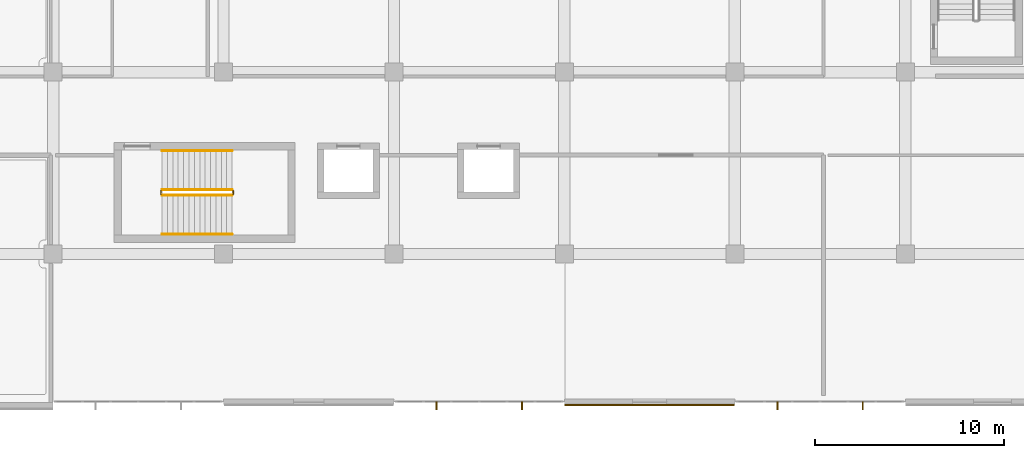
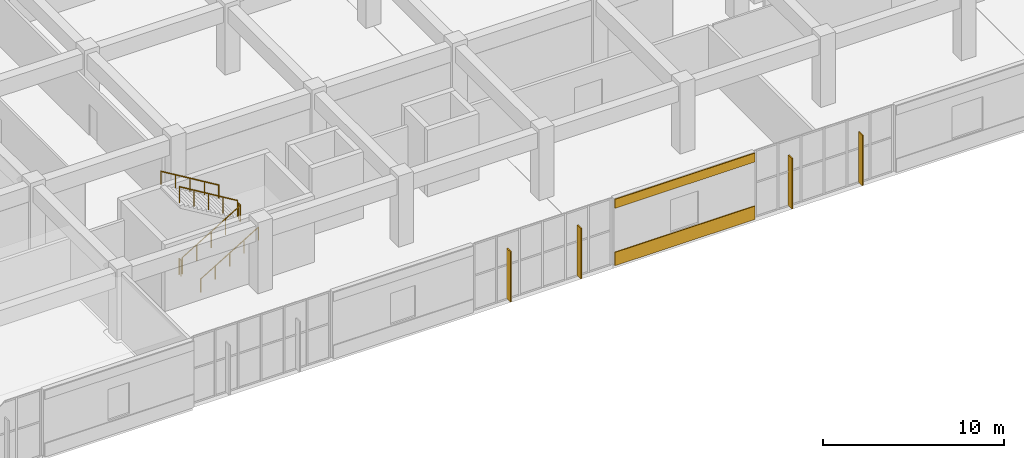
# One storey, part 74 of 86: 6 railings, 4 shading devices, 2 coverings.
"""IFC4 building model written with IfcOpenShell, lengths in metres."""

import ifcopenshell
import ifcopenshell.guid

model = None  # the IFC model being written
_history = None  # IfcOwnerHistory: only IFC2X3 demands one
_inside = {}  # id of a spatial element -> (the spatial element, [elements in it])
_under = {}  # id of a project, library or spatial element -> (it, [spatial elements below it])
_declared = {}  # id of a project -> (the project, [libraries it declares])
_typed = {}  # id of a type object -> (the type object, [elements of that type])
_made_of = {}  # id of a material, layer set ... -> (it, [elements and type objects made of it])


def new_model(schema):
    """Start an empty IFC model of exactly this schema.

    Asked for "IFC4X3", IfcOpenShell would pick the latest addendum, in which some entities
    have other attributes; the version numbers below select the first issue.
    IFC2X3 requires an IfcOwnerHistory on every rooted entity: one is made here for all.
    """
    global model, _history
    if schema == "IFC4X3":
        model = ifcopenshell.file(schema_version=(4, 3, 0, 0))
    else:
        model = ifcopenshell.file(schema=schema)
    _inside.clear()
    _under.clear()
    _declared.clear()
    _typed.clear()
    _made_of.clear()
    _history = None
    if model.schema == "IFC2X3":
        org = make("IfcOrganization", Name="unknown")
        user = make(
            "IfcPersonAndOrganization",
            ThePerson=make("IfcPerson", FamilyName="unknown"),
            TheOrganization=org,
        )
        app = make(
            "IfcApplication",
            ApplicationDeveloper=org,
            Version="unknown",
            ApplicationFullName="unknown",
            ApplicationIdentifier="unknown",
        )
        _history = make(
            "IfcOwnerHistory",
            OwningUser=user,
            OwningApplication=app,
            ChangeAction="ADDED",
            CreationDate=0,
        )
    return model


def make(cls, **values):
    """One entity of the class cls with the attributes given. An attribute that is None is left unset."""
    return model.create_entity(
        cls, **{name: value for name, value in values.items() if value is not None}
    )


def rooted(cls, **values):
    """An entity with a GlobalId (a new one), such as an element, a storey or a relation."""
    return make(cls, GlobalId=ifcopenshell.guid.new(), OwnerHistory=_history, **values)


def si_unit(unit_type, name, prefix=None):
    """IfcSIUnit, for example si_unit("LENGTHUNIT", "METRE", prefix="MILLI")."""
    return make("IfcSIUnit", UnitType=unit_type, Prefix=prefix, Name=name)


def assignment(units):
    """IfcUnitAssignment: the units of a project."""
    return None if units is None else make("IfcUnitAssignment", Units=units)


def point(xyz):
    """IfcCartesianPoint."""
    return None if xyz is None else make("IfcCartesianPoint", Coordinates=xyz)


def direction(xyz):
    """IfcDirection."""
    return None if xyz is None else make("IfcDirection", DirectionRatios=xyz)


def frame(location, z_axis=None, x_axis=None):
    """IfcAxis2Placement3D, a coordinate frame: its origin and axes. An axis left out is left unset."""
    return make(
        "IfcAxis2Placement3D",
        Location=point(location),
        Axis=direction(z_axis),
        RefDirection=direction(x_axis),
    )


def frame_2d(location, x_axis=None):
    """IfcAxis2Placement2D, a coordinate frame in the plane: its origin and x axis."""
    return make(
        "IfcAxis2Placement2D", Location=point(location), RefDirection=direction(x_axis)
    )


def origin():
    """The frame at (0, 0, 0) with its axes left unset."""
    return frame((0.0, 0.0, 0.0))


def origin_2d():
    """The frame at (0, 0) in the plane with its x axis left unset."""
    return frame_2d((0.0, 0.0))


def place(relative_to, where):
    """IfcLocalPlacement: puts the frame where relative to a parent placement (None: the world)."""
    return make(
        "IfcLocalPlacement", PlacementRelTo=relative_to, RelativePlacement=where
    )


def context(
    kind, dimensions, precision=None, world=None, true_north=None, identifier=None
):
    """IfcGeometricRepresentationContext, for example the 3D "Model" context."""
    return make(
        "IfcGeometricRepresentationContext",
        ContextIdentifier=identifier,
        ContextType=kind,
        CoordinateSpaceDimension=dimensions,
        Precision=precision,
        WorldCoordinateSystem=world,
        TrueNorth=true_north,
    )


def subcontext(parent, identifier, kind, view, scale=None):
    """IfcGeometricRepresentationSubContext, for example "Body" below "Model"."""
    return make(
        "IfcGeometricRepresentationSubContext",
        ContextIdentifier=identifier,
        ContextType=kind,
        ParentContext=parent,
        TargetScale=scale,
        TargetView=view,
    )


def project(units=None, contexts=None):
    """IfcProject with its units and contexts."""
    return rooted(
        "IfcProject",
        Name="project",
        RepresentationContexts=contexts,
        UnitsInContext=assignment(units),
    )


def spatial(cls, under=None, at=None, **own):
    """A site, building, storey or space (cls), placed at a placement, below another one or the project."""
    s = rooted(cls, ObjectPlacement=at, **own)
    if under is not None:
        _under.setdefault(under.id(), (under, []))[1].append(s)
    return s


def profile(cls, at=None, kind="AREA", **sizes):
    """A parametric profile (cls). Its sizes go by their IFC names, for example OverallWidth=200.0."""
    return make(cls, ProfileType=kind, Position=at, **sizes)


def rectangle(**sizes):
    """IfcRectangleProfileDef."""
    return profile("IfcRectangleProfileDef", **sizes)


def circle(**sizes):
    """IfcCircleProfileDef."""
    return profile("IfcCircleProfileDef", **sizes)


def extrude(swept, where, along, depth):
    """IfcExtrudedAreaSolid: the profile swept, set in the frame where, extruded along a direction by depth."""
    return make(
        "IfcExtrudedAreaSolid",
        SweptArea=swept,
        Position=where,
        ExtrudedDirection=direction(along),
        Depth=depth,
    )


def shape(context_of_items, identifier, shape_type, items):
    """IfcShapeRepresentation: the items that make up one representation, for example the "Body"."""
    return make(
        "IfcShapeRepresentation",
        ContextOfItems=context_of_items,
        RepresentationIdentifier=identifier,
        RepresentationType=shape_type,
        Items=items,
    )


def material(Name=None, Category=None):
    """IfcMaterial."""
    return make("IfcMaterial", Name=Name, Category=Category)


def layer(
    of_material, thickness, ventilated=None, Name=None, Category=None, Priority=None
):
    """IfcMaterialLayer: one layer of a wall or slab, of a material (None: an air gap)."""
    return make(
        "IfcMaterialLayer",
        Material=of_material,
        LayerThickness=thickness,
        IsVentilated=ventilated,
        Name=Name,
        Category=Category,
        Priority=Priority,
    )


def layer_set(layers, Name=None):
    """IfcMaterialLayerSet."""
    return make("IfcMaterialLayerSet", MaterialLayers=layers, LayerSetName=Name)


def made_of(thing, what):
    """Note that an element or type object is made of a material, layer set ...; save() writes the relation."""
    if what is not None:
        _made_of.setdefault(what.id(), (what, []))[1].append(thing)
    return thing


def type_object(cls, material=None, **own):
    """A type object (cls), such as IfcWallType, which elements share."""
    return made_of(rooted(cls, **own), material)


def element(
    cls,
    number,
    at=None,
    inside=None,
    cuts=None,
    type_object=None,
    material=None,
    context=None,
    identifier="Body",
    shape_type=None,
    held_by="IfcProductDefinitionShape",
    body=None,
    shapes=None,
    **own,
):
    """One element of the class cls, such as IfcWall. Its Tag is "e" and its number.

    at: its placement. inside: the storey or other place that contains it. cuts: it is an
    opening in that element (IfcRelVoidsElement). A single representation is given by context,
    identifier, shape_type and body (its items); several are given by shapes. held_by: the class
    of the entity that holds the representations. save() writes the other relations.
    """
    e = rooted(cls, Tag="e%d" % number, ObjectPlacement=at, **own)
    if body is not None:
        shapes = [shape(context, identifier, shape_type, body)]
    if shapes is not None:
        e.Representation = make(held_by, Representations=shapes)
    if inside is not None:
        _inside.setdefault(inside.id(), (inside, []))[1].append(e)
    if cuts is not None:
        rooted(
            "IfcRelVoidsElement", RelatingBuildingElement=cuts, RelatedOpeningElement=e
        )
    if type_object is not None:
        _typed.setdefault(type_object.id(), (type_object, []))[1].append(e)
    return made_of(e, material)


def aggregate(whole, parts):
    """IfcRelAggregates: a whole, such as a stair, and the parts it consists of."""
    return rooted("IfcRelAggregates", RelatingObject=whole, RelatedObjects=parts)


def save(model, path):
    """Write the relations noted so far, then the file.

    IfcRelAggregates (storeys below a building ...), IfcRelContainedInSpatialStructure (elements
    in a storey), IfcRelDefinesByType, IfcRelAssociatesMaterial and IfcRelDeclares: one each for
    every whole, place, type object, material and project.
    """
    for whole, parts in _under.values():
        aggregate(whole, parts)
    for where, things in _inside.values():
        rooted(
            "IfcRelContainedInSpatialStructure",
            RelatedElements=things,
            RelatingStructure=where,
        )
    for kind, things in _typed.values():
        rooted("IfcRelDefinesByType", RelatedObjects=things, RelatingType=kind)
    for what, things in _made_of.values():
        rooted("IfcRelAssociatesMaterial", RelatedObjects=things, RelatingMaterial=what)
    for by, libraries in _declared.values():
        rooted("IfcRelDeclares", RelatingContext=by, RelatedDefinitions=libraries)
    model.write(path)


model = new_model("IFC4")

# Units and contexts
model_context = context("Model", 3, precision=1e-05, world=origin(), true_north=direction((0.0, 1.0)))
body_context = subcontext(model_context, "Body", "Model", "MODEL_VIEW")
ifc_project = project(units=[si_unit("LENGTHUNIT", "METRE"), si_unit("AREAUNIT", "SQUARE_METRE"), si_unit("VOLUMEUNIT", "CUBIC_METRE"), si_unit("PLANEANGLEUNIT", "RADIAN"), si_unit("MASSUNIT", "GRAM", prefix="KILO")], contexts=[model_context])

# Site, building, storey
site_placement = place(None, origin())
site = spatial("IfcSite", under=ifc_project, at=site_placement, CompositionType="ELEMENT")
building_placement = place(site_placement, origin())
building = spatial("IfcBuilding", under=site, at=building_placement, Name="Cendralis Terraced Arcade", CompositionType="ELEMENT")
storey_placement = place(building_placement, frame((0.0, 0.0, 5.39990234375)))
storey = spatial("IfcBuildingStorey", under=building, at=storey_placement, Name="L01", CompositionType="ELEMENT", Elevation=5.39990234375)

# Coverings
ifc_material_1 = material(Name="Precast concrete f'c 40 MPa", Category="concrete")
ifc_layer = layer(ifc_material_1, 0.06494140625, Name="COV-CLAD-GRC-65")
ifc_layer_set = layer_set([ifc_layer], Name="Precast concrete f'c 40 MPa")
covering_type = type_object("IfcCoveringType", Name="COV-CLAD-GRC-65", PredefinedType="CLADDING", material=ifc_layer_set)
covering_1_placement = place(storey_placement, frame((98.699951171875, 1.625, 0.000244140625), z_axis=(0.0, 0.0, 1.0), x_axis=(-1.0, 0.0, 0.0)))
element("IfcCovering", 1, at=covering_1_placement, inside=storey, type_object=covering_type, Name="Banded Precast Stone Spandrel Cladding L01-173", PredefinedType="CLADDING", context=body_context, shape_type="SweptSolid", body=[
    extrude(rectangle(XDim=8.93994140625, YDim=0.06494140625, at=origin_2d()), origin(), (0.0, 0.0, 1.0), 0.89990234375),
])
covering_2_placement = place(storey_placement, frame((98.699951171875, 1.625, 3.885009765625), z_axis=(0.0, 0.0, 1.0), x_axis=(-1.0, 0.0, 0.0)))
element("IfcCovering", 2, at=covering_2_placement, inside=storey, type_object=covering_type, Name="Banded Precast Stone Lintel Cladding L01-174", PredefinedType="CLADDING", context=body_context, shape_type="SweptSolid", body=[
    extrude(rectangle(XDim=8.93994140625, YDim=0.06494140625, at=origin_2d()), origin(), (0.0, 0.0, 1.0), 0.60009765625),
])

# Railings
ifc_material_2 = material(Name="Brushed stainless steel AISI 316", Category="steel")
railing_type_1 = type_object("IfcRailingType", Name="RL-STAIR-GUARD-1100", PredefinedType="GUARDRAIL", material=ifc_material_2)
railing_1_placement = place(storey_placement, frame((72.949951171875, 12.699951171875, 0.171630859375)))
element("IfcRailing", 3, at=railing_1_placement, inside=storey, type_object=railing_type_1, Name="L01 ST-08 stair guard 1", PredefinedType="GUARDRAIL", context=body_context, shape_type="SweptSolid", body=[
    extrude(circle(Radius=0.02392578125, at=origin_2d()), frame((0.0, 0.0, 1.076171875), z_axis=(0.856934400257, 0.0, 0.515425487977), x_axis=(0.0, 1.0, 0.0)), (0.0, 0.0, 1.0), 4.32373046875),
    extrude(circle(Radius=0.02099609375, at=origin_2d()), origin(), (0.0, 0.0, 1.0), 1.052001953125),
    extrude(circle(Radius=0.02099609375, at=origin_2d()), frame((0.92626953125, 0.0, 0.55712890625)), (0.0, 0.0, 1.0), 1.052001953125),
    extrude(circle(Radius=0.02099609375, at=origin_2d()), frame((1.8525390625, 0.0, 1.1142578125)), (0.0, 0.0, 1.0), 1.052001953125),
    extrude(circle(Radius=0.02099609375, at=origin_2d()), frame((2.77880859375, 0.0, 1.67138671875)), (0.0, 0.0, 1.0), 1.052001953125),
    extrude(circle(Radius=0.02099609375, at=origin_2d()), frame((3.705078125, 0.0, 2.228515625)), (0.0, 0.0, 1.0), 1.052001953125),
])
railing_2_placement = place(storey_placement, frame((76.705078125, 12.75, 2.400146484375)))
element("IfcRailing", 4, at=railing_2_placement, inside=storey, type_object=railing_type_1, Name="L01 ST-08 stair guard 2", PredefinedType="GUARDRAIL", context=body_context, shape_type="SweptSolid", body=[
    extrude(circle(Radius=0.02392578125, at=origin_2d()), frame((0.0, 0.0, 1.076171875), z_axis=(0.0, 1.0, 0.0), x_axis=(-1.0, 0.0, 0.0)), (0.0, 0.0, 1.0), 0.199951171875),
    extrude(circle(Radius=0.02099609375, at=origin_2d()), origin(), (0.0, 0.0, 1.0), 1.052001953125),
    extrude(circle(Radius=0.02099609375, at=origin_2d()), frame((0.0, 0.199951171875, 0.0)), (0.0, 0.0, 1.0), 1.052001953125),
])
railing_3_placement = place(storey_placement, frame((76.655029296875, 13.0, 2.571533203125)))
element("IfcRailing", 5, at=railing_3_placement, inside=storey, type_object=railing_type_1, Name="L01 ST-08 stair guard 3", PredefinedType="GUARDRAIL", context=body_context, shape_type="SweptSolid", body=[
    extrude(circle(Radius=0.02392578125, at=origin_2d()), frame((0.0, 0.0, 1.076171875), z_axis=(-0.856934400257, 0.0, 0.515425487977), x_axis=(0.0, -1.0, 0.0)), (0.0, 0.0, 1.0), 4.32373046875),
    extrude(circle(Radius=0.02099609375, at=origin_2d()), origin(), (0.0, 0.0, 1.0), 1.052001953125),
    extrude(circle(Radius=0.02099609375, at=origin_2d()), frame((-0.92626953125, 0.0, 0.55712890625)), (0.0, 0.0, 1.0), 1.052001953125),
    extrude(circle(Radius=0.02099609375, at=origin_2d()), frame((-1.8525390625, 0.0, 1.1142578125)), (0.0, 0.0, 1.0), 1.052001953125),
    extrude(circle(Radius=0.02099609375, at=origin_2d()), frame((-2.77880859375, 0.0, 1.67138671875)), (0.0, 0.0, 1.0), 1.052001953125),
    extrude(circle(Radius=0.02099609375, at=origin_2d()), frame((-3.705078125, 0.0, 2.228515625)), (0.0, 0.0, 1.0), 1.052001953125),
])
railing_4_placement = place(storey_placement, frame((72.89990234375, 12.75, 0.0)))
element("IfcRailing", 6, at=railing_4_placement, inside=storey, type_object=railing_type_1, Name="L01 ST-08 stair guard 4", PredefinedType="GUARDRAIL", context=body_context, shape_type="SweptSolid", body=[
    extrude(circle(Radius=0.02392578125, at=origin_2d()), frame((0.0, 0.0, 1.076171875), z_axis=(0.0, 1.0, 0.0), x_axis=(-1.0, 0.0, 0.0)), (0.0, 0.0, 1.0), 0.199951171875),
    extrude(circle(Radius=0.02099609375, at=origin_2d()), origin(), (0.0, 0.0, 1.0), 1.052001953125),
    extrude(circle(Radius=0.02099609375, at=origin_2d()), frame((0.0, 0.199951171875, 0.0)), (0.0, 0.0, 1.0), 1.052001953125),
])
railing_type_2 = type_object("IfcRailingType", Name="RL-STAIR-HAND-900", PredefinedType="HANDRAIL", material=ifc_material_2)
railing_5_placement = place(storey_placement, frame((72.949951171875, 10.64990234375, 0.171630859375)))
element("IfcRailing", 7, at=railing_5_placement, inside=storey, type_object=railing_type_2, Name="L01 ST-08 stair handrail 1", PredefinedType="HANDRAIL", context=body_context, shape_type="SweptSolid", body=[
    extrude(circle(Radius=0.02392578125, at=origin_2d()), frame((0.0, 0.0, 0.8759765625), z_axis=(0.856934400257, 0.0, 0.515425487977), x_axis=(0.0, 1.0, 0.0)), (0.0, 0.0, 1.0), 4.32373046875),
    extrude(circle(Radius=0.02099609375, at=origin_2d()), origin(), (0.0, 0.0, 1.0), 0.851806640625),
    extrude(circle(Radius=0.02099609375, at=origin_2d()), frame((0.92626953125, 0.0, 0.55712890625)), (0.0, 0.0, 1.0), 0.851806640625),
    extrude(circle(Radius=0.02099609375, at=origin_2d()), frame((1.8525390625, 0.0, 1.1142578125)), (0.0, 0.0, 1.0), 0.851806640625),
    extrude(circle(Radius=0.02099609375, at=origin_2d()), frame((2.77880859375, 0.0, 1.67138671875)), (0.0, 0.0, 1.0), 0.851806640625),
    extrude(circle(Radius=0.02099609375, at=origin_2d()), frame((3.705078125, 0.0, 2.228515625)), (0.0, 0.0, 1.0), 0.851806640625),
])
railing_6_placement = place(storey_placement, frame((76.655029296875, 15.050048828125, 2.571533203125)))
element("IfcRailing", 8, at=railing_6_placement, inside=storey, type_object=railing_type_2, Name="L01 ST-08 stair handrail 2", PredefinedType="HANDRAIL", context=body_context, shape_type="SweptSolid", body=[
    extrude(circle(Radius=0.02392578125, at=origin_2d()), frame((0.0, 0.0, 0.8759765625), z_axis=(-0.856934400257, 0.0, 0.515425487977), x_axis=(0.0, -1.0, 0.0)), (0.0, 0.0, 1.0), 4.32373046875),
    extrude(circle(Radius=0.02099609375, at=origin_2d()), origin(), (0.0, 0.0, 1.0), 0.851806640625),
    extrude(circle(Radius=0.02099609375, at=origin_2d()), frame((-0.92626953125, 0.0, 0.55712890625)), (0.0, 0.0, 1.0), 0.851806640625),
    extrude(circle(Radius=0.02099609375, at=origin_2d()), frame((-1.8525390625, 0.0, 1.1142578125)), (0.0, 0.0, 1.0), 0.851806640625),
    extrude(circle(Radius=0.02099609375, at=origin_2d()), frame((-2.77880859375, 0.0, 1.67138671875)), (0.0, 0.0, 1.0), 0.851806640625),
    extrude(circle(Radius=0.02099609375, at=origin_2d()), frame((-3.705078125, 0.0, 2.228515625)), (0.0, 0.0, 1.0), 0.851806640625),
])

# Shading devices
ifc_material_3 = material(Name="Anodised aluminium EN AW-6063 T6", Category="aluminium")
shading_device_type = type_object("IfcShadingDeviceType", Name="SHD-FIN-420", PredefinedType="USERDEFINED", material=ifc_material_3)
for number, where, z_axis, x_axis, name in (
    (9, (109.949951171875, 1.5849609375, 0.050048828125), (0.0, 0.0, 1.0), (-1.0, 0.0, 0.0), "Parametric Vertical Solar Fin FIN-L01-017"),
    (10, (105.449951171875, 1.5849609375, 0.050048828125), (0.0, 0.0, 1.0), (-1.0, 0.0, 0.0), "Parametric Vertical Solar Fin FIN-L01-018"),
    (11, (91.949951171875, 1.5849609375, 0.050048828125), (0.0, 0.0, 1.0), (-1.0, 0.0, 0.0), "Parametric Vertical Solar Fin FIN-L01-019"),
    (12, (87.449951171875, 1.5849609375, 0.050048828125), (0.0, 0.0, 1.0), (-1.0, 0.0, 0.0), "Parametric Vertical Solar Fin FIN-L01-020"),
):
    element("IfcShadingDevice", number, at=place(storey_placement, frame(where, z_axis=z_axis, x_axis=x_axis)), inside=storey, type_object=shading_device_type, Name=name, ObjectType="FIN", PredefinedType="USERDEFINED", context=body_context, shape_type="SweptSolid", body=[
        extrude(rectangle(XDim=0.074951171875, YDim=0.419921875, at=origin_2d()), origin(), (0.0, 0.0, 1.0), 3.39990234375),
    ])

save(model, "model.ifc")
